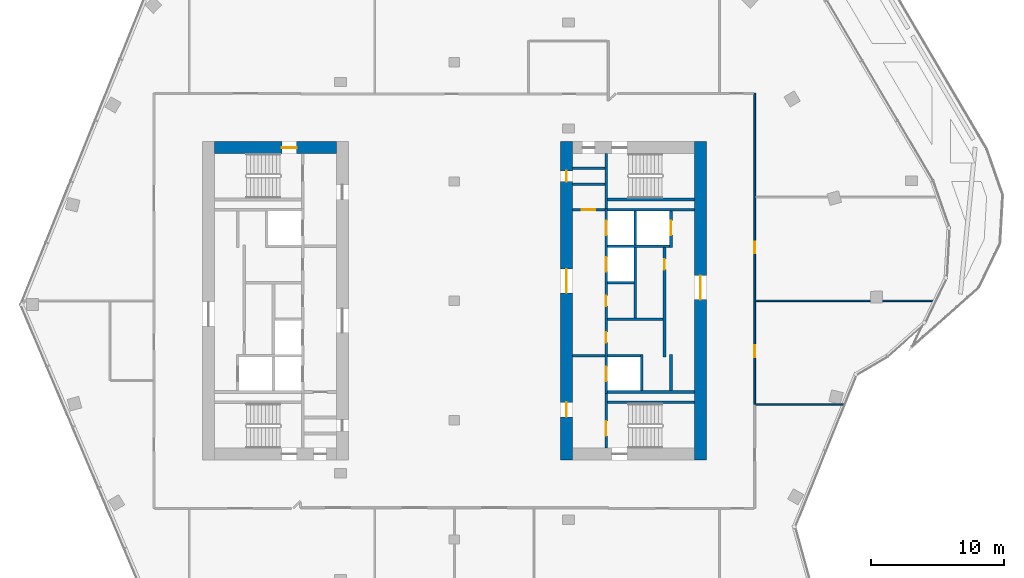
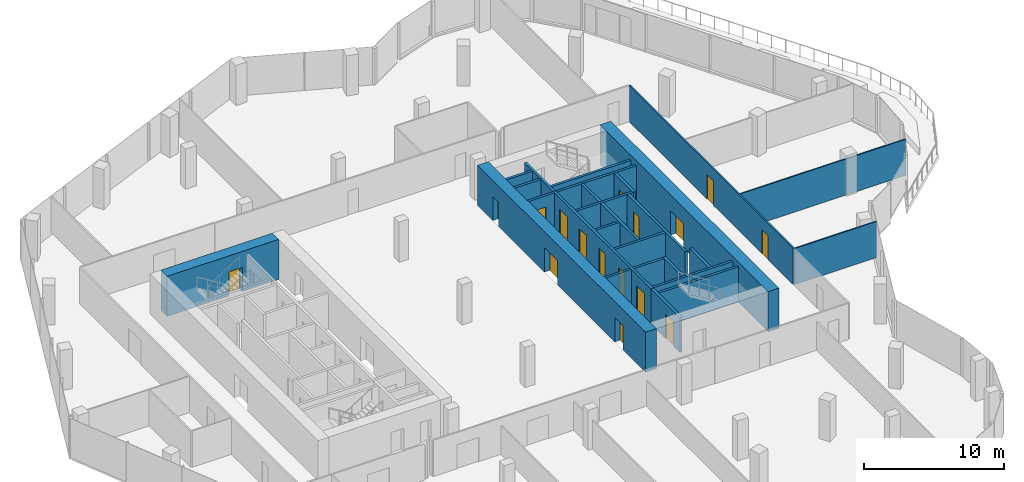
# One storey, part 14 of 17: 27 walls, 16 doors, 16 openings.
"""IFC4 building model written with IfcOpenShell, lengths in metres."""

from ifc_helpers import new_model, si_unit, direction, frame, frame_2d, origin, place, context, subcontext, project, spatial, rectangle, extrude, material, layer, layer_set, type_object, element, fill, save


model = new_model("IFC4")

# Units and contexts
model_context = context("Model", 3, precision=1e-05, world=origin(), true_north=direction((0.0, 1.0)))
body_context = subcontext(model_context, "Body", "Model", "MODEL_VIEW")
ifc_project = project(units=[si_unit("LENGTHUNIT", "METRE"), si_unit("AREAUNIT", "SQUARE_METRE"), si_unit("VOLUMEUNIT", "CUBIC_METRE"), si_unit("PLANEANGLEUNIT", "RADIAN"), si_unit("MASSUNIT", "GRAM", prefix="KILO")], contexts=[model_context])

# Site, building, storey
site_placement = place(None, origin())
site = spatial("IfcSite", under=ifc_project, at=site_placement, CompositionType="ELEMENT")
building_placement = place(site_placement, origin())
building = spatial("IfcBuilding", under=site, at=building_placement, Name="Orlundy Tower", CompositionType="ELEMENT")
storey_placement = place(building_placement, frame((0.0, 0.0, 289.39990234375)))
storey = spatial("IfcBuildingStorey", under=building, at=storey_placement, Name="L77", CompositionType="ELEMENT", Elevation=289.39990234375)

# Wall, opening, door
ifc_material_1 = material(Name="Concrete C50/60", Category="concrete")
ifc_layer_1 = layer(ifc_material_1, 0.89990234375)
ifc_layer_set_1 = layer_set([ifc_layer_1], Name="CORE WALL 900 C50/60")
wall_type_1 = type_object("IfcWallType", Name="CORE WALL 900 C50/60", PredefinedType="SHEAR", material=ifc_layer_set_1)
wall_1_placement = place(storey_placement, frame((-18.10009765625, 11.550048828125, 0.0), z_axis=(0.0, 0.0, 1.0), x_axis=(1.0, 0.0, 0.0)))
wall_1 = element("IfcWall", 1, at=wall_1_placement, inside=storey, type_object=wall_type_1, Name="Core wall W-N L77", PredefinedType="SHEAR", context=body_context, shape_type="SweptSolid", body=[
    extrude(rectangle(XDim=9.2001953125, YDim=0.89990234375, at=frame_2d((4.60009765625, 0.0))), origin(), (0.0, 0.0, 1.0), 3.5),
])
opening_1_placement = place(wall_1_placement, frame((5.10009765625, 0.0, 0.0)))
opening_1 = element("IfcOpeningElement", 2, at=opening_1_placement, cuts=wall_1, Name="Opening 59011", PredefinedType="OPENING", context=body_context, shape_type="SweptSolid", body=[
    extrude(rectangle(XDim=1.10009765625, YDim=2.10009765625, at=frame_2d((0.550048828125, 1.050048828125))), frame((0.0, 0.4599609375, 0.0), z_axis=(0.0, -1.0, 0.0), x_axis=(1.0, 0.0, 0.0)), (0.0, 0.0, 1.0), 0.919921875),
])
ifc_material_2 = material(Name="Steel door set", Category="steel")
door_type_1 = type_object("IfcDoorType", Name="Stair Door 1100x2100", OperationType="SINGLE_SWING_LEFT", PredefinedType="DOOR", material=ifc_material_2)
door_1_placement = place(opening_1_placement, origin())
door_1 = element("IfcDoor", 3, at=door_1_placement, inside=storey, type_object=door_type_1, Name="Stair door 59011", OperationType="SINGLE_SWING_RIGHT", OverallHeight=2.10009765625, OverallWidth=1.10009765625, PredefinedType="DOOR", context=body_context, shape_type="SweptSolid", body=[
    extrude(rectangle(XDim=1.10009765625, YDim=2.10009765625, at=frame_2d((0.550048828125, 1.050048828125))), frame((0.0, 0.02490234375, 0.0), z_axis=(0.0, -1.0, 0.0), x_axis=(1.0, 0.0, 0.0)), (0.0, 0.0, 1.0), 0.050048828125),
])
fill(opening_1, door_1)

# Wall, openings, doors
wall_2_placement = place(storey_placement, frame((8.449951171875, -12.0, 0.0), z_axis=(0.0, 0.0, 1.0), x_axis=(0.0, 1.0, 0.0)))
wall_2 = element("IfcWall", 4, at=wall_2_placement, inside=storey, type_object=wall_type_1, Name="Core wall E-W L77", PredefinedType="SHEAR", context=body_context, shape_type="SweptSolid", body=[
    extrude(rectangle(XDim=24.0, YDim=0.89990234375, at=frame_2d((12.0, 0.0))), origin(), (0.0, 0.0, 1.0), 3.5),
])
opening_2_placement = place(wall_2_placement, frame((12.60009765625, 0.0, 0.0)))
opening_2 = element("IfcOpeningElement", 5, at=opening_2_placement, cuts=wall_2, Name="Opening 59057", PredefinedType="OPENING", context=body_context, shape_type="SweptSolid", body=[
    extrude(rectangle(XDim=1.800048828125, YDim=2.10009765625, at=frame_2d((0.89990234375, 1.050048828125))), frame((0.0, 0.4599609375, 0.0), z_axis=(0.0, -1.0, 0.0), x_axis=(1.0, 0.0, 0.0)), (0.0, 0.0, 1.0), 0.919921875),
])
opening_3_placement = place(wall_2_placement, frame((3.25, 0.0, 0.0)))
opening_3 = element("IfcOpeningElement", 6, at=opening_3_placement, cuts=wall_2, Name="Opening 59059", PredefinedType="OPENING", context=body_context, shape_type="SweptSolid", body=[
    extrude(rectangle(XDim=1.10009765625, YDim=2.10009765625, at=frame_2d((0.550048828125, 1.050048828125))), frame((0.0, 0.4599609375, 0.0), z_axis=(0.0, -1.0, 0.0), x_axis=(1.0, 0.0, 0.0)), (0.0, 0.0, 1.0), 0.919921875),
])
opening_4_placement = place(wall_2_placement, frame((21.0, 0.0, 0.0)))
opening_4 = element("IfcOpeningElement", 7, at=opening_4_placement, cuts=wall_2, Name="Opening 59064", PredefinedType="OPENING", context=body_context, shape_type="SweptSolid", body=[
    extrude(rectangle(XDim=0.800048828125, YDim=2.10009765625, at=frame_2d((0.39990234375, 1.050048828125))), frame((0.0, 0.4599609375, 0.0), z_axis=(0.0, -1.0, 0.0), x_axis=(1.0, 0.0, 0.0)), (0.0, 0.0, 1.0), 0.919921875),
])
ifc_material_3 = material(Name="Steel door set", Category="steel")
door_type_2 = type_object("IfcDoorType", Name="Fire-fighting Lobby Door 1100x2100", OperationType="SINGLE_SWING_LEFT", PredefinedType="DOOR", material=ifc_material_3)
door_2_placement = place(opening_3_placement, origin())
door_2 = element("IfcDoor", 8, at=door_2_placement, inside=storey, type_object=door_type_2, Name="Fire-fighting lobby door 59059", OperationType="SINGLE_SWING_LEFT", OverallHeight=2.10009765625, OverallWidth=1.10009765625, PredefinedType="DOOR", context=body_context, shape_type="SweptSolid", body=[
    extrude(rectangle(XDim=1.10009765625, YDim=2.10009765625, at=frame_2d((0.550048828125, 1.050048828125))), frame((0.0, 0.02490234375, 0.0), z_axis=(0.0, -1.0, 0.0), x_axis=(1.0, 0.0, 0.0)), (0.0, 0.0, 1.0), 0.050048828125),
])
fill(opening_3, door_2)
ifc_material_4 = material(Name="Timber door set", Category="wood")
door_type_3 = type_object("IfcDoorType", Name="Lobby Door 1800x2100", OperationType="DOUBLE_DOOR_DOUBLE_SWING", PredefinedType="DOOR", material=ifc_material_4)
door_3_placement = place(opening_2_placement, origin())
door_3 = element("IfcDoor", 9, at=door_3_placement, inside=storey, type_object=door_type_3, Name="Lift lobby door 59057", OperationType="SINGLE_SWING_RIGHT", OverallHeight=2.10009765625, OverallWidth=1.800048828125, PredefinedType="DOOR", context=body_context, shape_type="SweptSolid", body=[
    extrude(rectangle(XDim=1.800048828125, YDim=2.10009765625, at=frame_2d((0.89990234375, 1.050048828125))), frame((0.0, 0.02490234375, 0.0), z_axis=(0.0, -1.0, 0.0), x_axis=(1.0, 0.0, 0.0)), (0.0, 0.0, 1.0), 0.050048828125),
])
fill(opening_2, door_3)
ifc_material_5 = material(Name="Timber door set", Category="wood")
door_type_4 = type_object("IfcDoorType", Name="Riser Door 800x2100", OperationType="SINGLE_SWING_LEFT", PredefinedType="DOOR", material=ifc_material_5)
door_4_placement = place(opening_4_placement, origin())
door_4 = element("IfcDoor", 10, at=door_4_placement, inside=storey, type_object=door_type_4, Name="Door 59064", OperationType="SINGLE_SWING_RIGHT", OverallHeight=2.10009765625, OverallWidth=0.800048828125, PredefinedType="DOOR", context=body_context, shape_type="SweptSolid", body=[
    extrude(rectangle(XDim=0.800048828125, YDim=2.10009765625, at=frame_2d((0.39990234375, 1.050048828125))), frame((0.0, 0.02490234375, 0.0), z_axis=(0.0, -1.0, 0.0), x_axis=(1.0, 0.0, 0.0)), (0.0, 0.0, 1.0), 0.050048828125),
])
fill(opening_4, door_4)

# Wall, opening, door
wall_3_placement = place(storey_placement, frame((18.550048828125, -12.0, 0.0), z_axis=(0.0, 0.0, 1.0), x_axis=(0.0, 1.0, 0.0)))
wall_3 = element("IfcWall", 11, at=wall_3_placement, inside=storey, type_object=wall_type_1, Name="Core wall E-E L77", PredefinedType="SHEAR", context=body_context, shape_type="SweptSolid", body=[
    extrude(rectangle(XDim=24.0, YDim=0.89990234375, at=frame_2d((12.0, 0.0))), origin(), (0.0, 0.0, 1.0), 3.5),
])
opening_5_placement = place(wall_3_placement, frame((12.10009765625, 0.0, 0.0)))
opening_5 = element("IfcOpeningElement", 12, at=opening_5_placement, cuts=wall_3, Name="Opening 59058", PredefinedType="OPENING", context=body_context, shape_type="SweptSolid", body=[
    extrude(rectangle(XDim=1.800048828125, YDim=2.10009765625, at=frame_2d((0.89990234375, 1.050048828125))), frame((0.0, 0.4599609375, 0.0), z_axis=(0.0, -1.0, 0.0), x_axis=(1.0, 0.0, 0.0)), (0.0, 0.0, 1.0), 0.919921875),
])
door_5_placement = place(opening_5_placement, origin())
door_5 = element("IfcDoor", 13, at=door_5_placement, inside=storey, type_object=door_type_3, Name="Lift lobby door 59058", OperationType="SINGLE_SWING_RIGHT", OverallHeight=2.10009765625, OverallWidth=1.800048828125, PredefinedType="DOOR", context=body_context, shape_type="SweptSolid", body=[
    extrude(rectangle(XDim=1.800048828125, YDim=2.10009765625, at=frame_2d((0.89990234375, 1.050048828125))), frame((0.0, 0.02490234375, 0.0), z_axis=(0.0, -1.0, 0.0), x_axis=(1.0, 0.0, 0.0)), (0.0, 0.0, 1.0), 0.050048828125),
])
fill(opening_5, door_5)

# Walls
ifc_material_6 = material(Name="Gypsum board partition")
ifc_layer_2 = layer(ifc_material_6, 0.10009765625)
ifc_layer_set_2 = layer_set([ifc_layer_2], Name="Floor partition 100")
wall_type_2 = type_object("IfcWallType", Name="Floor partition 100", PredefinedType="PARTITIONING", material=ifc_layer_set_2)
wall_4_placement = place(storey_placement, frame((22.7119140625, -7.823974609375, 0.0), z_axis=(0.0, 0.0, 1.0), x_axis=(1.0, 0.0, 0.0)))
element("IfcWall", 14, at=wall_4_placement, inside=storey, type_object=wall_type_2, Name="wall-int-L77-006", PredefinedType="PARTITIONING", context=body_context, shape_type="SweptSolid", body=[
    extrude(rectangle(XDim=6.753173828125, YDim=0.10009765625, at=frame_2d((3.37646484375, 0.0))), origin(), (0.0, 0.0, 1.0), 3.150146484375),
])
wall_5_placement = place(storey_placement, frame((22.7119140625, 0.0, 0.0), z_axis=(0.0, 0.0, 1.0), x_axis=(1.0, 0.0, 0.0)))
element("IfcWall", 15, at=wall_5_placement, inside=storey, type_object=wall_type_2, Name="wall-int-L77-009", PredefinedType="PARTITIONING", context=body_context, shape_type="SweptSolid", body=[
    extrude(rectangle(XDim=13.64111328125, YDim=0.10009765625, at=frame_2d((6.820556640625, 0.0))), origin(), (0.0, 0.0, 1.0), 3.150146484375),
])

# Wall, openings, doors
ifc_material_7 = material(Name="Gypsum board partition, double layer")
ifc_layer_3 = layer(ifc_material_7, 0.125)
ifc_layer_set_3 = layer_set([ifc_layer_3], Name="Floor partition 125")
wall_type_3 = type_object("IfcWallType", Name="Floor partition 125", PredefinedType="PARTITIONING", material=ifc_layer_set_3)
wall_6_placement = place(storey_placement, frame((22.64990234375, 15.65087890625, 0.0), z_axis=(0.0, 0.0, 1.0), x_axis=(0.0, -1.0, 0.0)))
wall_6 = element("IfcWall", 16, at=wall_6_placement, inside=storey, type_object=wall_type_3, Name="wall-int-L77-018", PredefinedType="PARTITIONING", context=body_context, shape_type="SweptSolid", body=[
    extrude(rectangle(XDim=23.474853515625, YDim=0.125, at=frame_2d((11.7373046875, 0.0))), origin(), (0.0, 0.0, 1.0), 3.150146484375),
])
opening_6_placement = place(wall_6_placement, frame((19.0009765625, 0.0, 0.0)))
opening_6 = element("IfcOpeningElement", 17, at=opening_6_placement, cuts=wall_6, Name="Opening 59108", PredefinedType="OPENING", context=body_context, shape_type="SweptSolid", body=[
    extrude(rectangle(XDim=0.89990234375, YDim=2.10009765625, at=frame_2d((0.449951171875, 1.050048828125))), frame((0.0, 0.072509765625, 0.0), z_axis=(0.0, -1.0, 0.0), x_axis=(1.0, 0.0, 0.0)), (0.0, 0.0, 1.0), 0.14501953125),
])
opening_7_placement = place(wall_6_placement, frame((11.177001953125, 0.0, 0.0)))
opening_7 = element("IfcOpeningElement", 18, at=opening_7_placement, cuts=wall_6, Name="Opening 59109", PredefinedType="OPENING", context=body_context, shape_type="SweptSolid", body=[
    extrude(rectangle(XDim=0.89990234375, YDim=2.10009765625, at=frame_2d((0.449951171875, 1.050048828125))), frame((0.0, 0.072509765625, 0.0), z_axis=(0.0, -1.0, 0.0), x_axis=(1.0, 0.0, 0.0)), (0.0, 0.0, 1.0), 0.14501953125),
])
ifc_material_8 = material(Name="Timber door leaf", Category="wood")
door_type_5 = type_object("IfcDoorType", Name="Floor door single 900 FD30S", OperationType="NOTDEFINED", PredefinedType="DOOR", material=ifc_material_8)
door_6_placement = place(opening_6_placement, origin())
door_6 = element("IfcDoor", 19, at=door_6_placement, inside=storey, type_object=door_type_5, Name="Door 59108", OperationType="SINGLE_SWING_RIGHT", OverallHeight=2.10009765625, OverallWidth=0.89990234375, PredefinedType="DOOR", context=body_context, shape_type="SweptSolid", body=[
    extrude(rectangle(XDim=0.89990234375, YDim=2.10009765625, at=frame_2d((0.449951171875, 1.050048828125))), frame((0.0, 0.02490234375, 0.0), z_axis=(0.0, -1.0, 0.0), x_axis=(1.0, 0.0, 0.0)), (0.0, 0.0, 1.0), 0.050048828125),
])
fill(opening_6, door_6)
door_7_placement = place(opening_7_placement, origin())
door_7 = element("IfcDoor", 20, at=door_7_placement, inside=storey, type_object=door_type_5, Name="Door 59109", OperationType="SINGLE_SWING_LEFT", OverallHeight=2.10009765625, OverallWidth=0.89990234375, PredefinedType="DOOR", context=body_context, shape_type="SweptSolid", body=[
    extrude(rectangle(XDim=0.89990234375, YDim=2.10009765625, at=frame_2d((0.449951171875, 1.050048828125))), frame((0.0, 0.02490234375, 0.0), z_axis=(0.0, -1.0, 0.0), x_axis=(1.0, 0.0, 0.0)), (0.0, 0.0, 1.0), 0.050048828125),
])
fill(opening_7, door_7)

# Wall, opening, door
ifc_material_9 = material(Name="Concrete C40/50", Category="concrete")
ifc_layer_4 = layer(ifc_material_9, 0.199951171875)
ifc_layer_set_4 = layer_set([ifc_layer_4], Name="Load-bearing Shaft Wall 200")
wall_type_4 = type_object("IfcWallType", Name="Load-bearing Shaft Wall 200", PredefinedType="SOLIDWALL", material=ifc_layer_set_4)
wall_7_placement = place(storey_placement, frame((11.43994140625, -6.97509765625, 0.0), z_axis=(0.0, 0.0, 1.0), x_axis=(0.0, -1.0, 0.0)))
wall_7 = element("IfcWall", 21, at=wall_7_placement, inside=storey, type_object=wall_type_4, Name="Shaft wall E59-stair-end-n", PredefinedType="SOLIDWALL", context=body_context, shape_type="SweptSolid", body=[
    extrude(rectangle(XDim=4.125, YDim=0.199951171875, at=frame_2d((2.0625, 0.0))), origin(), (0.0, 0.0, 1.0), 3.090087890625),
])
opening_8_placement = place(wall_7_placement, frame((2.10009765625, 0.0, 0.0)))
opening_8 = element("IfcOpeningElement", 22, at=opening_8_placement, cuts=wall_7, Name="Opening 59062", PredefinedType="OPENING", context=body_context, shape_type="SweptSolid", body=[
    extrude(rectangle(XDim=1.10009765625, YDim=2.10009765625, at=frame_2d((0.550048828125, 1.050048828125))), frame((0.0, 0.110107421875, 0.0), z_axis=(0.0, -1.0, 0.0), x_axis=(1.0, 0.0, 0.0)), (0.0, 0.0, 1.0), 0.22021484375),
])
door_8_placement = place(opening_8_placement, origin())
door_8 = element("IfcDoor", 23, at=door_8_placement, inside=storey, type_object=door_type_2, Name="Fire-fighting lobby to stair door 59062", OperationType="SINGLE_SWING_RIGHT", OverallHeight=2.10009765625, OverallWidth=1.10009765625, PredefinedType="DOOR", context=body_context, shape_type="SweptSolid", body=[
    extrude(rectangle(XDim=1.10009765625, YDim=2.10009765625, at=frame_2d((0.550048828125, 1.050048828125))), frame((0.0, 0.02490234375, 0.0), z_axis=(0.0, -1.0, 0.0), x_axis=(1.0, 0.0, 0.0)), (0.0, 0.0, 1.0), 0.050048828125),
])
fill(opening_8, door_8)

# Walls
wall_8_placement = place(storey_placement, frame((11.5400390625, -7.64990234375, 0.0), z_axis=(0.0, 0.0, 1.0), x_axis=(1.0, 0.0, 0.0)))
element("IfcWall", 24, at=wall_8_placement, inside=storey, type_object=wall_type_4, Name="Shaft wall E59-stair-side-n", PredefinedType="SOLIDWALL", context=body_context, shape_type="SweptSolid", body=[
    extrude(rectangle(XDim=6.56005859375, YDim=0.199951171875, at=frame_2d((3.280029296875, 0.0))), origin(), (0.0, 0.0, 1.0), 3.090087890625),
])
wall_9_placement = place(storey_placement, frame((11.43994140625, 11.10009765625, 0.0), z_axis=(0.0, 0.0, 1.0), x_axis=(0.0, -1.0, 0.0)))
element("IfcWall", 25, at=wall_9_placement, inside=storey, type_object=wall_type_4, Name="Shaft wall E59-stair-end-s", PredefinedType="SOLIDWALL", context=body_context, shape_type="SweptSolid", body=[
    extrude(rectangle(XDim=4.125, YDim=0.199951171875, at=frame_2d((2.0625, 0.0))), origin(), (0.0, 0.0, 1.0), 3.090087890625),
])
wall_10_placement = place(storey_placement, frame((11.5400390625, 7.64990234375, 0.0), z_axis=(0.0, 0.0, 1.0), x_axis=(1.0, 0.0, 0.0)))
element("IfcWall", 26, at=wall_10_placement, inside=storey, type_object=wall_type_4, Name="Shaft wall E59-stair-side-s", PredefinedType="SOLIDWALL", context=body_context, shape_type="SweptSolid", body=[
    extrude(rectangle(XDim=6.56005859375, YDim=0.199951171875, at=frame_2d((3.280029296875, 0.0))), origin(), (0.0, 0.0, 1.0), 3.090087890625),
])
ifc_material_10 = material(Name="Gypsum board partition on steel studs", Category="steel")
ifc_layer_5 = layer(ifc_material_10, 0.199951171875)
ifc_layer_set_5 = layer_set([ifc_layer_5], Name="Partition 200")
wall_type_5 = type_object("IfcWallType", Name="Partition 200", PredefinedType="PARTITIONING", material=ifc_layer_set_5)
wall_11_placement = place(storey_placement, frame((8.89990234375, -4.125, 0.0), z_axis=(0.0, 0.0, 1.0), x_axis=(1.0, 0.0, 0.0)))
element("IfcWall", 27, at=wall_11_placement, inside=storey, type_object=wall_type_5, Name="Partition wall E59-lobby-n", PredefinedType="PARTITIONING", context=body_context, shape_type="SweptSolid", body=[
    extrude(rectangle(XDim=2.440185546875, YDim=0.199951171875, at=frame_2d((1.22021484375, 0.0))), origin(), (0.0, 0.0, 1.0), 3.090087890625),
])

# Wall, opening, door
wall_12_placement = place(storey_placement, frame((8.89990234375, 6.875, 0.0), z_axis=(0.0, 0.0, 1.0), x_axis=(1.0, 0.0, 0.0)))
wall_12 = element("IfcWall", 28, at=wall_12_placement, inside=storey, type_object=wall_type_5, Name="Partition wall E59-end-s", PredefinedType="PARTITIONING", context=body_context, shape_type="SweptSolid", body=[
    extrude(rectangle(XDim=2.440185546875, YDim=0.199951171875, at=frame_2d((1.22021484375, 0.0))), origin(), (0.0, 0.0, 1.0), 3.090087890625),
])
opening_9_placement = place(wall_12_placement, frame((0.719970703125, 0.0, 0.0)))
opening_9 = element("IfcOpeningElement", 29, at=opening_9_placement, cuts=wall_12, Name="Opening 59065", PredefinedType="OPENING", context=body_context, shape_type="SweptSolid", body=[
    extrude(rectangle(XDim=1.0, YDim=2.10009765625, at=frame_2d((0.5, 1.050048828125))), frame((0.0, 0.110107421875, 0.0), z_axis=(0.0, -1.0, 0.0), x_axis=(1.0, 0.0, 0.0)), (0.0, 0.0, 1.0), 0.22021484375),
])
ifc_material_11 = material(Name="Timber door set", Category="wood")
door_type_6 = type_object("IfcDoorType", Name="Accessible Door 1000x2100", OperationType="SINGLE_SWING_LEFT", PredefinedType="DOOR", material=ifc_material_11)
door_9_placement = place(opening_9_placement, origin())
door_9 = element("IfcDoor", 30, at=door_9_placement, inside=storey, type_object=door_type_6, Name="Accessible WC door 59065", OperationType="SINGLE_SWING_RIGHT", OverallHeight=2.10009765625, OverallWidth=1.0, PredefinedType="DOOR", context=body_context, shape_type="SweptSolid", body=[
    extrude(rectangle(XDim=1.0, YDim=2.10009765625, at=frame_2d((0.5, 1.050048828125))), frame((0.0, 0.02490234375, 0.0), z_axis=(0.0, -1.0, 0.0), x_axis=(1.0, 0.0, 0.0)), (0.0, 0.0, 1.0), 0.050048828125),
])
fill(opening_9, door_9)

# Walls
for number, where, z_axis, x_axis, name in (
    (31, (8.89990234375, 10.0, 0.0), (0.0, 0.0, 1.0), (1.0, 0.0, 0.0), "Partition wall E59-room-s0"),
    (32, (8.89990234375, 8.800048828125, 0.0), (0.0, 0.0, 1.0), (1.0, 0.0, 0.0), "Partition wall E59-room-s1"),
):
    element("IfcWall", number, at=place(storey_placement, frame(where, z_axis=z_axis, x_axis=x_axis)), inside=storey, type_object=wall_type_5, Name=name, PredefinedType="PARTITIONING", context=body_context, shape_type="SweptSolid", body=[
        extrude(rectangle(XDim=2.440185546875, YDim=0.199951171875, at=frame_2d((1.22021484375, 0.0))), origin(), (0.0, 0.0, 1.0), 3.090087890625),
    ])
ifc_material_12 = material(Name="Fire-rated blockwork shaft wall", Category="masonry")
ifc_layer_6 = layer(ifc_material_12, 0.199951171875)
ifc_layer_set_6 = layer_set([ifc_layer_6], Name="Shaft Wall 200")
wall_type_6 = type_object("IfcWallType", Name="Shaft Wall 200", PredefinedType="SOLIDWALL", material=ifc_layer_set_6)
for number, where, z_axis, x_axis, name in (
    (33, (11.5400390625, -6.875, 0.0), (0.0, 0.0, 1.0), (1.0, 0.0, 0.0), "Shaft wall E59-zone-n"),
    (34, (11.5400390625, 6.875, 0.0), (0.0, 0.0, 1.0), (1.0, 0.0, 0.0), "Shaft wall E59-zone-s"),
):
    element("IfcWall", number, at=place(storey_placement, frame(where, z_axis=z_axis, x_axis=x_axis)), inside=storey, type_object=wall_type_6, Name=name, PredefinedType="SOLIDWALL", context=body_context, shape_type="SweptSolid", body=[
        extrude(rectangle(XDim=6.56005859375, YDim=0.199951171875, at=frame_2d((3.280029296875, 0.0))), origin(), (0.0, 0.0, 1.0), 3.090087890625),
    ])
wall_13_placement = place(storey_placement, frame((11.5400390625, 4.125, 0.0), z_axis=(0.0, 0.0, 1.0), x_axis=(1.0, 0.0, 0.0)))
element("IfcWall", 35, at=wall_13_placement, inside=storey, type_object=wall_type_6, Name="Shaft wall E59-cross-4.125", PredefinedType="SOLIDWALL", context=body_context, shape_type="SweptSolid", body=[
    extrude(rectangle(XDim=4.699951171875, YDim=0.199951171875, at=frame_2d((2.35009765625, 0.0))), origin(), (0.0, 0.0, 1.0), 3.090087890625),
])
wall_14_placement = place(storey_placement, frame((11.5400390625, 1.375, 0.0), z_axis=(0.0, 0.0, 1.0), x_axis=(1.0, 0.0, 0.0)))
element("IfcWall", 36, at=wall_14_placement, inside=storey, type_object=wall_type_6, Name="Shaft wall E59-cross-1.375", PredefinedType="SOLIDWALL", context=body_context, shape_type="SweptSolid", body=[
    extrude(rectangle(XDim=2.0, YDim=0.199951171875, at=frame_2d((1.0, 0.0))), origin(), (0.0, 0.0, 1.0), 3.090087890625),
])
wall_15_placement = place(storey_placement, frame((11.5400390625, -1.375, 0.0), z_axis=(0.0, 0.0, 1.0), x_axis=(1.0, 0.0, 0.0)))
element("IfcWall", 37, at=wall_15_placement, inside=storey, type_object=wall_type_6, Name="Shaft wall E59-cross+1.375", PredefinedType="SOLIDWALL", context=body_context, shape_type="SweptSolid", body=[
    extrude(rectangle(XDim=4.199951171875, YDim=0.199951171875, at=frame_2d((2.10009765625, 0.0))), origin(), (0.0, 0.0, 1.0), 3.090087890625),
])
wall_16_placement = place(storey_placement, frame((11.5400390625, -4.125, 0.0), z_axis=(0.0, 0.0, 1.0), x_axis=(1.0, 0.0, 0.0)))
element("IfcWall", 38, at=wall_16_placement, inside=storey, type_object=wall_type_6, Name="Shaft wall E59-cross+4.125", PredefinedType="SOLIDWALL", context=body_context, shape_type="SweptSolid", body=[
    extrude(rectangle(XDim=2.5, YDim=0.199951171875, at=frame_2d((1.25, 0.0))), origin(), (0.0, 0.0, 1.0), 3.090087890625),
])

# Wall, openings, doors
wall_17_placement = place(storey_placement, frame((11.43994140625, 6.97509765625, 0.0), z_axis=(0.0, 0.0, 1.0), x_axis=(0.0, -1.0, 0.0)))
wall_17 = element("IfcWall", 39, at=wall_17_placement, inside=storey, type_object=wall_type_6, Name="Shaft wall E59-front-h", PredefinedType="SOLIDWALL", context=body_context, shape_type="SweptSolid", body=[
    extrude(rectangle(XDim=13.9501953125, YDim=0.199951171875, at=frame_2d((6.97509765625, 0.0))), origin(), (0.0, 0.0, 1.0), 3.090087890625),
])
opening_10_placement = place(wall_17_placement, frame((0.925048828125, 0.0, 0.0)))
opening_10 = element("IfcOpeningElement", 40, at=opening_10_placement, cuts=wall_17, Name="Opening 59050", PredefinedType="OPENING", context=body_context, shape_type="SweptSolid", body=[
    extrude(rectangle(XDim=1.10009765625, YDim=2.10009765625, at=frame_2d((0.550048828125, 1.050048828125))), frame((0.0, 0.110107421875, 0.0), z_axis=(0.0, -1.0, 0.0), x_axis=(1.0, 0.0, 0.0)), (0.0, 0.0, 1.0), 0.22021484375),
])
opening_11_placement = place(wall_17_placement, frame((3.675048828125, 0.0, 0.0)))
opening_11 = element("IfcOpeningElement", 41, at=opening_11_placement, cuts=wall_17, Name="Opening 59052", PredefinedType="OPENING", context=body_context, shape_type="SweptSolid", body=[
    extrude(rectangle(XDim=1.10009765625, YDim=2.10009765625, at=frame_2d((0.550048828125, 1.050048828125))), frame((0.0, 0.110107421875, 0.0), z_axis=(0.0, -1.0, 0.0), x_axis=(1.0, 0.0, 0.0)), (0.0, 0.0, 1.0), 0.22021484375),
])
opening_12_placement = place(wall_17_placement, frame((11.925048828125, 0.0, 0.0)))
opening_12 = element("IfcOpeningElement", 42, at=opening_12_placement, cuts=wall_17, Name="Opening 59053", PredefinedType="OPENING", context=body_context, shape_type="SweptSolid", body=[
    extrude(rectangle(XDim=1.10009765625, YDim=2.10009765625, at=frame_2d((0.550048828125, 1.050048828125))), frame((0.0, 0.110107421875, 0.0), z_axis=(0.0, -1.0, 0.0), x_axis=(1.0, 0.0, 0.0)), (0.0, 0.0, 1.0), 0.22021484375),
])
opening_13_placement = place(wall_17_placement, frame((6.574951171875, 0.0, 0.0)))
opening_13 = element("IfcOpeningElement", 43, at=opening_13_placement, cuts=wall_17, Name="Opening 59055", PredefinedType="OPENING", context=body_context, shape_type="SweptSolid", body=[
    extrude(rectangle(XDim=0.800048828125, YDim=2.10009765625, at=frame_2d((0.39990234375, 1.050048828125))), frame((0.0, 0.110107421875, 0.0), z_axis=(0.0, -1.0, 0.0), x_axis=(1.0, 0.0, 0.0)), (0.0, 0.0, 1.0), 0.22021484375),
])
opening_14_placement = place(wall_17_placement, frame((9.324951171875, 0.0, 0.0)))
opening_14 = element("IfcOpeningElement", 44, at=opening_14_placement, cuts=wall_17, Name="Opening 59056", PredefinedType="OPENING", context=body_context, shape_type="SweptSolid", body=[
    extrude(rectangle(XDim=0.800048828125, YDim=2.10009765625, at=frame_2d((0.39990234375, 1.050048828125))), frame((0.0, 0.110107421875, 0.0), z_axis=(0.0, -1.0, 0.0), x_axis=(1.0, 0.0, 0.0)), (0.0, 0.0, 1.0), 0.22021484375),
])
ifc_material_13 = material(Name="Steel door set", Category="steel")
door_type_7 = type_object("IfcDoorType", Name="Landing Door 1100x2100", OperationType="DOUBLE_DOOR_SLIDING", PredefinedType="DOOR", material=ifc_material_13)
door_10_placement = place(opening_10_placement, origin())
door_10 = element("IfcDoor", 45, at=door_10_placement, inside=storey, type_object=door_type_7, Name="Lift landing door LP-24 59050", OperationType="DOUBLE_DOOR_SLIDING", OverallHeight=2.10009765625, OverallWidth=1.10009765625, PredefinedType="DOOR", context=body_context, shape_type="SweptSolid", body=[
    extrude(rectangle(XDim=1.10009765625, YDim=2.10009765625, at=frame_2d((0.550048828125, 1.050048828125))), frame((0.0, 0.02490234375, 0.0), z_axis=(0.0, -1.0, 0.0), x_axis=(1.0, 0.0, 0.0)), (0.0, 0.0, 1.0), 0.050048828125),
])
fill(opening_10, door_10)
door_11_placement = place(opening_11_placement, origin())
door_11 = element("IfcDoor", 46, at=door_11_placement, inside=storey, type_object=door_type_7, Name="Lift landing door LP-23 59052", OperationType="DOUBLE_DOOR_SLIDING", OverallHeight=2.10009765625, OverallWidth=1.10009765625, PredefinedType="DOOR", context=body_context, shape_type="SweptSolid", body=[
    extrude(rectangle(XDim=1.10009765625, YDim=2.10009765625, at=frame_2d((0.550048828125, 1.050048828125))), frame((0.0, 0.02490234375, 0.0), z_axis=(0.0, -1.0, 0.0), x_axis=(1.0, 0.0, 0.0)), (0.0, 0.0, 1.0), 0.050048828125),
])
fill(opening_11, door_11)
door_12_placement = place(opening_12_placement, origin())
door_12 = element("IfcDoor", 47, at=door_12_placement, inside=storey, type_object=door_type_7, Name="Lift landing door FL2 59053", OperationType="DOUBLE_DOOR_SLIDING", OverallHeight=2.10009765625, OverallWidth=1.10009765625, PredefinedType="DOOR", context=body_context, shape_type="SweptSolid", body=[
    extrude(rectangle(XDim=1.10009765625, YDim=2.10009765625, at=frame_2d((0.550048828125, 1.050048828125))), frame((0.0, 0.02490234375, 0.0), z_axis=(0.0, -1.0, 0.0), x_axis=(1.0, 0.0, 0.0)), (0.0, 0.0, 1.0), 0.050048828125),
])
fill(opening_12, door_12)
door_13_placement = place(opening_13_placement, origin())
door_13 = element("IfcDoor", 48, at=door_13_placement, inside=storey, type_object=door_type_4, Name="Records Store door 59055", OperationType="SINGLE_SWING_LEFT", OverallHeight=2.10009765625, OverallWidth=0.800048828125, PredefinedType="DOOR", context=body_context, shape_type="SweptSolid", body=[
    extrude(rectangle(XDim=0.800048828125, YDim=2.10009765625, at=frame_2d((0.39990234375, 1.050048828125))), frame((0.0, 0.02490234375, 0.0), z_axis=(0.0, -1.0, 0.0), x_axis=(1.0, 0.0, 0.0)), (0.0, 0.0, 1.0), 0.050048828125),
])
fill(opening_13, door_13)
door_14_placement = place(opening_14_placement, origin())
door_14 = element("IfcDoor", 49, at=door_14_placement, inside=storey, type_object=door_type_4, Name="Cleaner's Store door 59056", OperationType="SINGLE_SWING_LEFT", OverallHeight=2.10009765625, OverallWidth=0.800048828125, PredefinedType="DOOR", context=body_context, shape_type="SweptSolid", body=[
    extrude(rectangle(XDim=0.800048828125, YDim=2.10009765625, at=frame_2d((0.39990234375, 1.050048828125))), frame((0.0, 0.02490234375, 0.0), z_axis=(0.0, -1.0, 0.0), x_axis=(1.0, 0.0, 0.0)), (0.0, 0.0, 1.0), 0.050048828125),
])
fill(opening_14, door_14)

# Walls
wall_18_placement = place(storey_placement, frame((13.639892578125, 6.77490234375, 0.0), z_axis=(0.0, 0.0, 1.0), x_axis=(0.0, -1.0, 0.0)))
element("IfcWall", 50, at=wall_18_placement, inside=storey, type_object=wall_type_6, Name="Shaft wall E59-mid-a", PredefinedType="SOLIDWALL", context=body_context, shape_type="SweptSolid", body=[
    extrude(rectangle(XDim=2.5498046875, YDim=0.199951171875, at=frame_2d((1.27490234375, 0.0))), origin(), (0.0, 0.0, 1.0), 3.090087890625),
])
wall_19_placement = place(storey_placement, frame((13.639892578125, 4.02490234375, 0.0), z_axis=(0.0, 0.0, 1.0), x_axis=(0.0, -1.0, 0.0)))
element("IfcWall", 51, at=wall_19_placement, inside=storey, type_object=wall_type_6, Name="Shaft wall E59-mid-a.1", PredefinedType="SOLIDWALL", context=body_context, shape_type="SweptSolid", body=[
    extrude(rectangle(XDim=5.2998046875, YDim=0.199951171875, at=frame_2d((2.64990234375, 0.0))), origin(), (0.0, 0.0, 1.0), 3.090087890625),
])
wall_20_placement = place(storey_placement, frame((14.139892578125, -4.02490234375, 0.0), z_axis=(0.0, 0.0, 1.0), x_axis=(0.0, -1.0, 0.0)))
element("IfcWall", 52, at=wall_20_placement, inside=storey, type_object=wall_type_6, Name="Shaft wall E59-mid-b", PredefinedType="SOLIDWALL", context=body_context, shape_type="SweptSolid", body=[
    extrude(rectangle(XDim=2.75, YDim=0.199951171875, at=frame_2d((1.375, 0.0))), origin(), (0.0, 0.0, 1.0), 3.090087890625),
])

# Wall, opening, door
wall_21_placement = place(storey_placement, frame((16.340087890625, 6.77490234375, 0.0), z_axis=(0.0, 0.0, 1.0), x_axis=(0.0, -1.0, 0.0)))
wall_21 = element("IfcWall", 53, at=wall_21_placement, inside=storey, type_object=wall_type_6, Name="Shaft wall E59-front-o-a", PredefinedType="SOLIDWALL", context=body_context, shape_type="SweptSolid", body=[
    extrude(rectangle(XDim=2.75, YDim=0.199951171875, at=frame_2d((1.375, 0.0))), origin(), (0.0, 0.0, 1.0), 3.090087890625),
])
opening_15_placement = place(wall_21_placement, frame((0.72509765625, 0.0, 0.0)))
opening_15 = element("IfcOpeningElement", 54, at=opening_15_placement, cuts=wall_21, Name="Opening 59051", PredefinedType="OPENING", context=body_context, shape_type="SweptSolid", body=[
    extrude(rectangle(XDim=1.10009765625, YDim=2.10009765625, at=frame_2d((0.550048828125, 1.050048828125))), frame((0.0, 0.110107421875, 0.0), z_axis=(0.0, -1.0, 0.0), x_axis=(1.0, 0.0, 0.0)), (0.0, 0.0, 1.0), 0.22021484375),
])
door_15_placement = place(opening_15_placement, origin())
door_15 = element("IfcDoor", 55, at=door_15_placement, inside=storey, type_object=door_type_7, Name="Lift landing door LV-02 59051", OperationType="DOUBLE_DOOR_SLIDING", OverallHeight=2.10009765625, OverallWidth=1.10009765625, PredefinedType="DOOR", context=body_context, shape_type="SweptSolid", body=[
    extrude(rectangle(XDim=1.10009765625, YDim=2.10009765625, at=frame_2d((0.550048828125, 1.050048828125))), frame((0.0, 0.02490234375, 0.0), z_axis=(0.0, -1.0, 0.0), x_axis=(1.0, 0.0, 0.0)), (0.0, 0.0, 1.0), 0.050048828125),
])
fill(opening_15, door_15)

wall_22_placement = place(storey_placement, frame((15.840087890625, 4.02490234375, 0.0), z_axis=(0.0, 0.0, 1.0), x_axis=(0.0, -1.0, 0.0)))
wall_22 = element("IfcWall", 56, at=wall_22_placement, inside=storey, type_object=wall_type_6, Name="Shaft wall E59-front-o-b", PredefinedType="SOLIDWALL", context=body_context, shape_type="SweptSolid", body=[
    extrude(rectangle(XDim=8.25, YDim=0.199951171875, at=frame_2d((4.125, 0.0))), origin(), (0.0, 0.0, 1.0), 3.090087890625),
])
opening_16_placement = place(wall_22_placement, frame((0.875, 0.0, 0.0)))
opening_16 = element("IfcOpeningElement", 57, at=opening_16_placement, cuts=wall_22, Name="Opening 59054", PredefinedType="OPENING", context=body_context, shape_type="SweptSolid", body=[
    extrude(rectangle(XDim=0.800048828125, YDim=2.10009765625, at=frame_2d((0.39990234375, 1.050048828125))), frame((0.0, 0.110107421875, 0.0), z_axis=(0.0, -1.0, 0.0), x_axis=(1.0, 0.0, 0.0)), (0.0, 0.0, 1.0), 0.22021484375),
])
door_16_placement = place(opening_16_placement, origin())
door_16 = element("IfcDoor", 58, at=door_16_placement, inside=storey, type_object=door_type_4, Name="Refuse Room door 59054", OperationType="SINGLE_SWING_LEFT", OverallHeight=2.10009765625, OverallWidth=0.800048828125, PredefinedType="DOOR", context=body_context, shape_type="SweptSolid", body=[
    extrude(rectangle(XDim=0.800048828125, YDim=2.10009765625, at=frame_2d((0.39990234375, 1.050048828125))), frame((0.0, 0.02490234375, 0.0), z_axis=(0.0, -1.0, 0.0), x_axis=(1.0, 0.0, 0.0)), (0.0, 0.0, 1.0), 0.050048828125),
])
fill(opening_16, door_16)

# Wall
wall_23_placement = place(storey_placement, frame((16.340087890625, -4.02490234375, 0.0), z_axis=(0.0, 0.0, 1.0), x_axis=(0.0, -1.0, 0.0)))
element("IfcWall", 59, at=wall_23_placement, inside=storey, type_object=wall_type_6, Name="Shaft wall E59-front-o-c", PredefinedType="SOLIDWALL", context=body_context, shape_type="SweptSolid", body=[
    extrude(rectangle(XDim=2.75, YDim=0.199951171875, at=frame_2d((1.375, 0.0))), origin(), (0.0, 0.0, 1.0), 3.090087890625),
])

save(model, "model.ifc")
